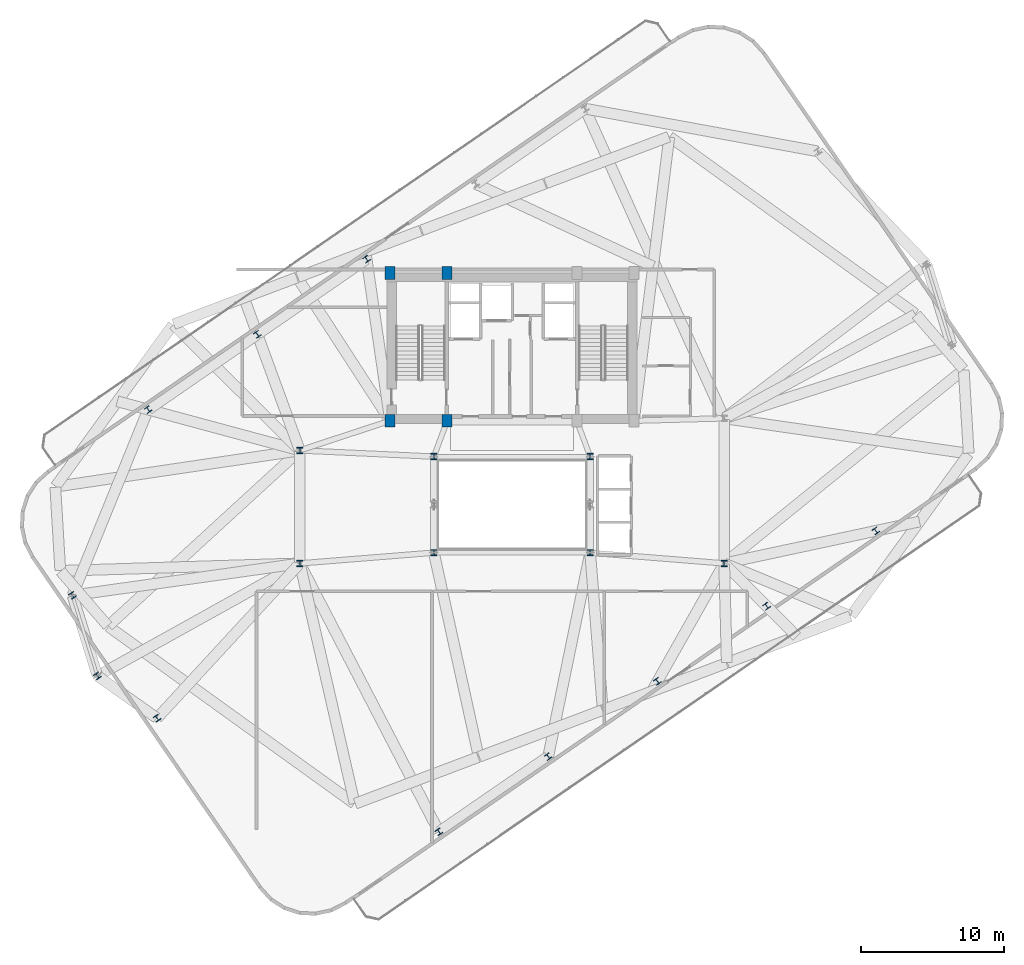
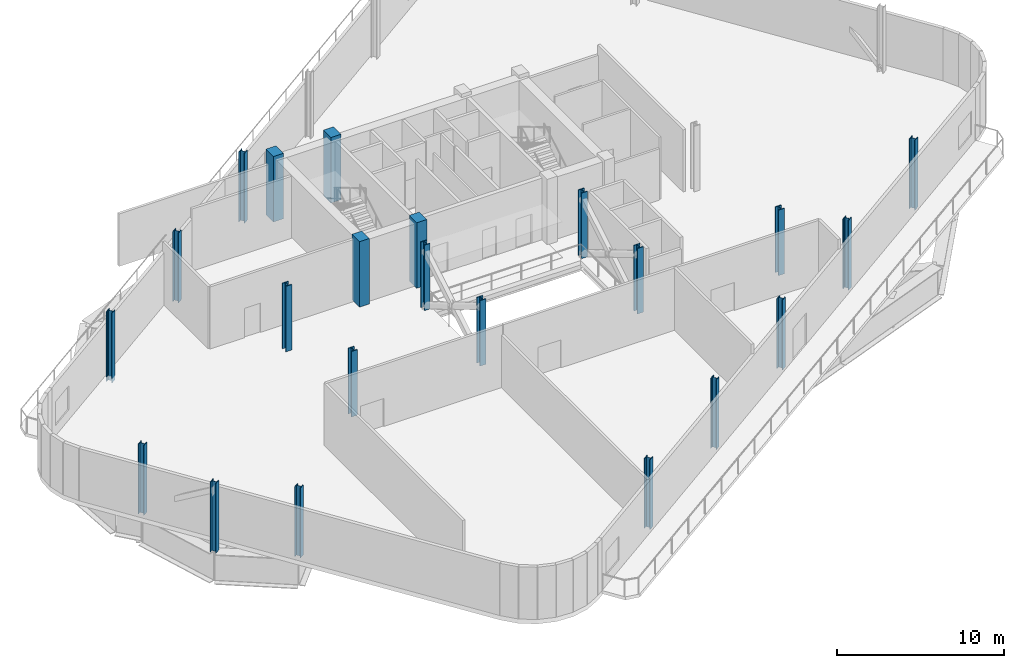
# One storey, part 1 of 13: 22 columns.
"""IFC4 building model written with IfcOpenShell, lengths in metres."""

from ifc_helpers import new_model, si_unit, direction, frame, origin, origin_2d, place, context, subcontext, project, spatial, rectangle, i_section, extrude, material, material_profile, profile_set, type_object, element, save


model = new_model("IFC4")

# Units and contexts
model_context = context("Model", 3, precision=1e-05, world=origin(), true_north=direction((0.0, 1.0)))
body_context = subcontext(model_context, "Body", "Model", "MODEL_VIEW")
ifc_project = project(units=[si_unit("LENGTHUNIT", "METRE"), si_unit("AREAUNIT", "SQUARE_METRE"), si_unit("VOLUMEUNIT", "CUBIC_METRE"), si_unit("PLANEANGLEUNIT", "RADIAN"), si_unit("MASSUNIT", "GRAM", prefix="KILO")], contexts=[model_context])

# Site, building, storey
site_placement = place(None, origin())
site = spatial("IfcSite", under=ifc_project, at=site_placement, CompositionType="ELEMENT")
building_placement = place(site_placement, origin())
building = spatial("IfcBuilding", under=site, at=building_placement, Name="Varnelok Gate Tower", CompositionType="ELEMENT")
storey_placement = place(building_placement, frame((0.0, 0.0, 253.39990234375)))
storey = spatial("IfcBuildingStorey", under=building, at=storey_placement, Name="L65", CompositionType="ELEMENT", Elevation=253.39990234375)

# Columns
ifc_material_1 = material(Name="Concrete C60/75", Category="concrete")
ifc_material_profile_1 = material_profile(ifc_material_1, rectangle(XDim=0.699951171875, YDim=0.89990234375, at=origin_2d()), Name="RC900X700")
ifc_profile_set_1 = profile_set([ifc_material_profile_1], Name="Concrete C60/75")
column_type_1 = type_object("IfcColumnType", Name="COL-RC900X700", PredefinedType="COLUMN", material=ifc_profile_set_1)
for number, where, z_axis, x_axis, name in (
    (1, (30.699951171875, 28.75, 0.0), (0.0, 0.0, 1.0), (1.0, 0.0, 0.0), "L65 Core Spine Column SC1"),
    (2, (34.679931640625, 28.75, 0.0), (0.0, 0.0, 1.0), (1.0, 0.0, 0.0), "L65 Core Spine Column SC2"),
    (3, (30.699951171875, 39.050048828125, 0.0), (0.0, 0.0, 1.0), (1.0, 0.0, 0.0), "L65 Core Spine Column SC5"),
    (4, (34.679931640625, 39.050048828125, 0.0), (0.0, 0.0, 1.0), (1.0, 0.0, 0.0), "L65 Core Spine Column SC6"),
):
    element("IfcColumn", number, at=place(storey_placement, frame(where, z_axis=z_axis, x_axis=x_axis)), inside=storey, type_object=column_type_1, Name=name, PredefinedType="COLUMN", context=body_context, shape_type="SweptSolid", body=[
        extrude(rectangle(XDim=0.699951171875, YDim=0.89990234375, at=origin_2d()), origin(), (0.0, 0.0, 1.0), 4.800048828125),
    ])
ifc_material_2 = material(Name="Structural Steel ASTM A992 Grade 50", Category="steel")
ifc_material_profile_2 = material_profile(ifc_material_2, i_section(OverallWidth=0.40087890625, OverallDepth=0.39892578125, WebThickness=0.02490234375, FlangeThickness=0.03955078125, FilletRadius=0.02197265625, at=origin_2d()), Name="W14X211")
ifc_profile_set_2 = profile_set([ifc_material_profile_2], Name="Structural Steel ASTM A992 Grade 50")
column_type_2 = type_object("IfcColumnType", Name="COL-W14X211", PredefinedType="COLUMN", material=ifc_profile_set_2)
for number, where, z_axis, x_axis, name in (
    (5, (34.107421875, 0.080810546875, -0.31982421875), (0.0, 0.0, 1.0), (0.823532597628, 0.567268949127, 0.0), "L65 B6 Perimeter Column PC01"),
    (6, (41.72509765625, 5.327880859375, -0.31982421875), (0.0, 0.0, 1.0), (0.823532597628, 0.567268949127, 0.0), "L65 B6 Perimeter Column PC02"),
    (7, (49.3427734375, 10.5751953125, -0.31982421875), (0.0, 0.0, 1.0), (0.823532597628, 0.567268949127, 0.0), "L65 B6 Perimeter Column PC03"),
    (8, (56.96044921875, 15.822509765625, -0.31982421875), (0.0, 0.0, 1.0), (0.823532597628, 0.567268949127, 0.0), "L65 B6 Perimeter Column PC04"),
    (9, (64.578125, 21.069580078125, -0.31982421875), (0.0, 0.0, 1.0), (0.823532597628, 0.567268949127, 0.0), "L65 B6 Perimeter Column PC05"),
    (10, (29.05712890625, 40.02490234375, -0.31982421875), (0.0, 0.0, 1.0), (0.823532597628, 0.567268949127, 0.0), "L65 B6 Perimeter Column PC11"),
    (11, (21.439697265625, 34.777587890625, -0.31982421875), (0.0, 0.0, 1.0), (0.823532597628, 0.567268949127, 0.0), "L65 B6 Perimeter Column PC12"),
    (12, (13.822021484375, 29.5302734375, -0.31982421875), (0.0, 0.0, 1.0), (0.823532597628, 0.567268949127, 0.0), "L65 B6 Perimeter Column PC13"),
    (13, (8.543212890625, 16.568603515625, -0.31982421875), (0.0, 0.0, 1.0), (0.823532597628, 0.567268949127, 0.0), "L65 B6 Perimeter Column PC14"),
    (14, (10.284423828125, 10.955810546875, -0.31982421875), (0.0, 0.0, 1.0), (0.823532597628, 0.567268949127, 0.0), "L65 B6 Perimeter Column PC15"),
    (15, (14.44287109375, 8.00390625, -0.31982421875), (0.0, 0.0, 1.0), (0.823532597628, 0.567268949127, 0.0), "L65 B6 Perimeter Column PC16"),
):
    element("IfcColumn", number, at=place(storey_placement, frame(where, z_axis=z_axis, x_axis=x_axis)), inside=storey, type_object=column_type_2, Name=name, PredefinedType="COLUMN", context=body_context, shape_type="SweptSolid", body=[
        extrude(i_section(OverallWidth=0.40087890625, OverallDepth=0.39892578125, WebThickness=0.02490234375, FlangeThickness=0.03955078125, FilletRadius=0.02197265625, at=origin_2d()), origin(), (0.0, 0.0, 1.0), 5.119873046875),
    ])
ifc_material_profile_3 = material_profile(ifc_material_2, i_section(OverallWidth=0.412109375, OverallDepth=0.43505859375, WebThickness=0.035888671875, FlangeThickness=0.057373046875, FilletRadius=0.02490234375, at=origin_2d()), Name="W14X311")
ifc_profile_set_3 = profile_set([ifc_material_profile_3], Name="Structural Steel ASTM A992 Grade 50")
column_type_3 = type_object("IfcColumnType", Name="COL-W14X311", PredefinedType="COLUMN", material=ifc_profile_set_3)
for number, where, z_axis, x_axis, name in (
    (16, (33.75, 19.550048828125, 0.0), (0.0, 0.0, 1.0), (1.0, 0.0, 0.0), "L65 Atrium Spine Column AC1"),
    (17, (44.64990234375, 19.550048828125, 0.0), (0.0, 0.0, 1.0), (1.0, 0.0, 0.0), "L65 Atrium Spine Column AC2"),
    (18, (33.75, 26.25, 0.0), (0.0, 0.0, 1.0), (1.0, 0.0, 0.0), "L65 Atrium Spine Column AC3"),
    (19, (44.64990234375, 26.25, 0.0), (0.0, 0.0, 1.0), (1.0, 0.0, 0.0), "L65 Atrium Spine Column AC4"),
    (20, (24.39990234375, 18.800048828125, 0.0), (0.0, 0.0, 1.0), (1.0, 0.0, 0.0), "L65 Wing Spine Column WS1"),
    (21, (24.39990234375, 26.679931640625, 0.0), (0.0, 0.0, 1.0), (1.0, 0.0, 0.0), "L65 Wing Spine Column WS2"),
    (22, (54.0, 18.800048828125, 0.0), (0.0, 0.0, 1.0), (1.0, 0.0, 0.0), "L65 Wing Spine Column ES1"),
):
    element("IfcColumn", number, at=place(storey_placement, frame(where, z_axis=z_axis, x_axis=x_axis)), inside=storey, type_object=column_type_3, Name=name, PredefinedType="COLUMN", context=body_context, shape_type="SweptSolid", body=[
        extrude(i_section(OverallWidth=0.412109375, OverallDepth=0.43505859375, WebThickness=0.035888671875, FlangeThickness=0.057373046875, FilletRadius=0.02490234375, at=origin_2d()), origin(), (0.0, 0.0, 1.0), 4.800048828125),
    ])

save(model, "model.ifc")
